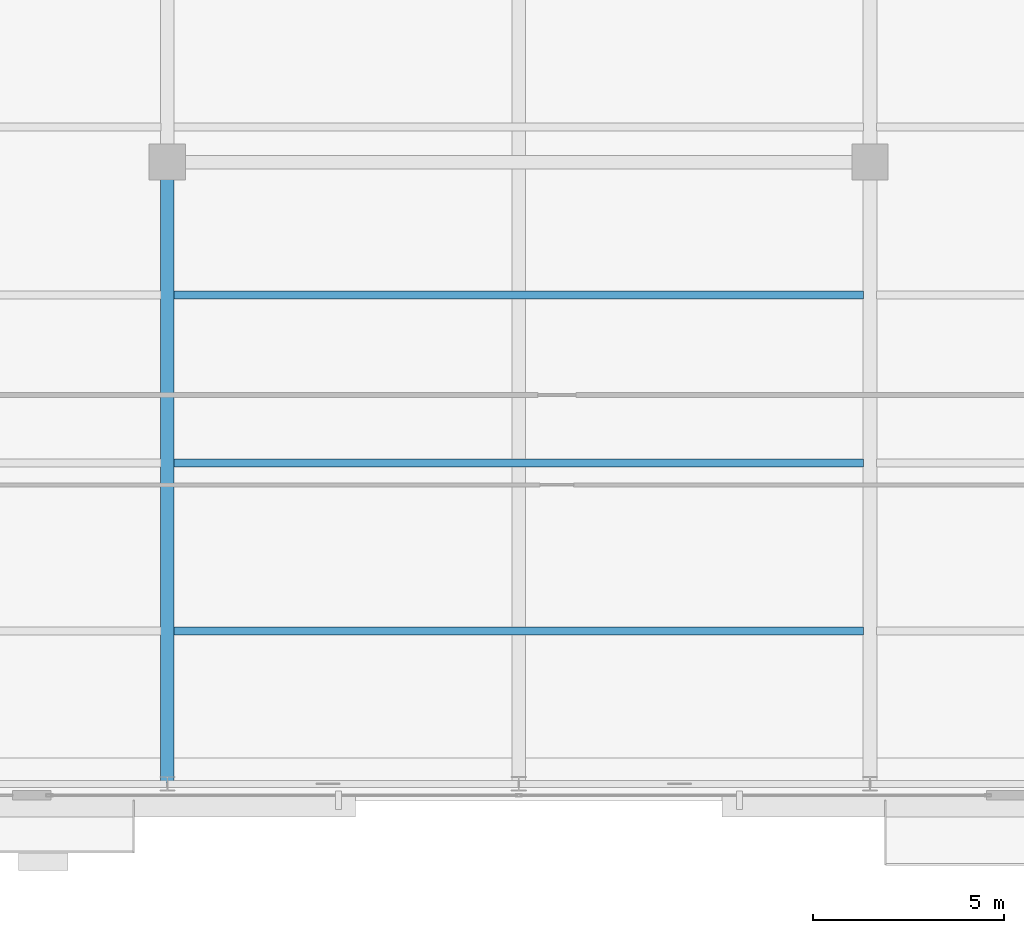
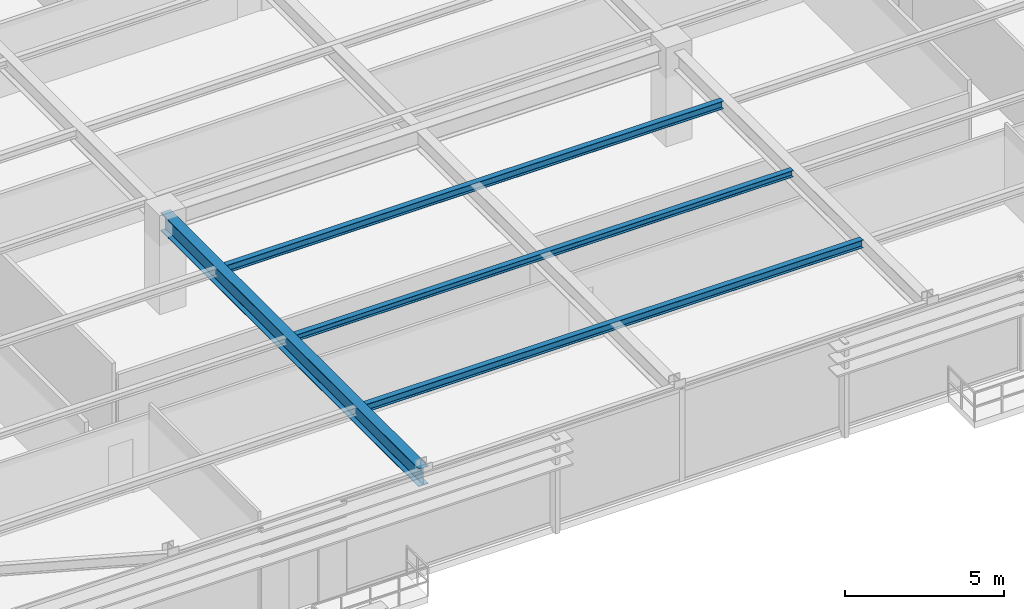
# One storey, part 7 of 34: 4 beams.
"""IFC4 building model written with IfcOpenShell, lengths in metres."""

from ifc_helpers import new_model, si_unit, direction, frame, origin, origin_2d, place, context, subcontext, project, spatial, i_section, extrude, source, transform, mapped, material, material_profile, profile_set, type_object, type_shapes, element, save


model = new_model("IFC4")

# Units and contexts
model_context = context("Model", 3, precision=1e-05, world=origin(), true_north=direction((0.0, 1.0)))
body_context = subcontext(model_context, "Body", "Model", "MODEL_VIEW")
ifc_project = project(units=[si_unit("LENGTHUNIT", "METRE"), si_unit("AREAUNIT", "SQUARE_METRE"), si_unit("VOLUMEUNIT", "CUBIC_METRE"), si_unit("PLANEANGLEUNIT", "RADIAN"), si_unit("MASSUNIT", "GRAM", prefix="KILO")], contexts=[model_context])

# Site, building, storey
site_placement = place(None, origin())
site = spatial("IfcSite", under=ifc_project, at=site_placement, CompositionType="ELEMENT")
building_placement = place(site_placement, origin())
building = spatial("IfcBuilding", under=site, at=building_placement, Name="Varnel Quay Broadcast Tower", CompositionType="ELEMENT")
storey_placement = place(building_placement, frame((0.0, 0.0, 110.60009765625)))
storey = spatial("IfcBuildingStorey", under=building, at=storey_placement, Name="L26", CompositionType="ELEMENT", Elevation=110.60009765625)

# Beams
ifc_material = material(Name="Structural Steel CSA G40.21 350W", Category="steel")
ifc_material_profile_1 = material_profile(ifc_material, i_section(OverallWidth=0.35498046875, OverallDepth=0.695068359375, WebThickness=0.015380859375, FlangeThickness=0.02490234375, FilletRadius=0.01806640625, at=origin_2d()), Name="W690X217")
ifc_profile_set_1 = profile_set([ifc_material_profile_1], Name="Structural Steel CSA G40.21 350W")
beam_type_1 = type_object("IfcBeamType", Name="Girder_W690X217", PredefinedType="BEAM", material=ifc_profile_set_1)
shared_shape_1 = source(origin(), body_context, "Body", "SweptSolid", [
    extrude(i_section(OverallWidth=0.35498046875, OverallDepth=0.695068359375, WebThickness=0.015380859375, FlangeThickness=0.02490234375, FilletRadius=0.01806640625, at=origin_2d()), origin(), (0.0, 0.0, 1.0), 16.239990234375),
])
type_shapes(beam_type_1, [shared_shape_1])
beam_1_placement = place(storey_placement, frame((24.800048828125, 4.669921875, 3.202392578125), z_axis=(0.0, 1.0, 0.0), x_axis=(-1.0, 0.0, 0.0)))
element("IfcBeam", 1, at=beam_1_placement, inside=storey, type_object=beam_type_1, Name="L26 Primary Girder TC-S2-IC-01", PredefinedType="BEAM", context=body_context, shape_type="MappedRepresentation", body=[
    mapped(shared_shape_1, transform((0.0, 0.0, 0.0), x_axis=(1.0, 0.0, 0.0), y_axis=(0.0, 1.0, 0.0), z_axis=(0.0, 0.0, 1.0), scale=1.0)),
])
ifc_material_profile_2 = material_profile(ifc_material, i_section(OverallWidth=0.202880859375, OverallDepth=0.302978515625, WebThickness=0.007568359375, FlangeThickness=0.01318359375, FilletRadius=0.011962890625, at=origin_2d()), Name="W310X60")
ifc_profile_set_2 = profile_set([ifc_material_profile_2], Name="Structural Steel CSA G40.21 350W")
beam_type_2 = type_object("IfcBeamType", Name="Beam_W310X60", PredefinedType="JOIST", material=ifc_profile_set_2)
shared_shape_2 = source(origin(), body_context, "Body", "SweptSolid", [
    extrude(i_section(OverallWidth=0.202880859375, OverallDepth=0.302978515625, WebThickness=0.007568359375, FlangeThickness=0.01318359375, FilletRadius=0.011962890625, at=origin_2d()), origin(), (0.0, 0.0, 1.0), 18.05517578125),
])
type_shapes(beam_type_2, [shared_shape_2])
for number, where, z_axis, x_axis, name in (
    (2, (24.972412109375, 8.64990234375, 3.3984375), (1.0, 0.0, 0.0), (0.0, 1.0, 0.0), "L26 Central Floor Joist 1"),
    (3, (24.972412109375, 17.449951171875, 3.3984375), (1.0, 0.0, 0.0), (0.0, 1.0, 0.0), "L26 Central Floor Joist 3"),
):
    element("IfcBeam", number, at=place(storey_placement, frame(where, z_axis=z_axis, x_axis=x_axis)), inside=storey, type_object=beam_type_2, Name=name, PredefinedType="JOIST", context=body_context, shape_type="MappedRepresentation", body=[
        mapped(shared_shape_2, transform((0.0, 0.0, 0.0), x_axis=(1.0, 0.0, 0.0), y_axis=(0.0, 1.0, 0.0), z_axis=(0.0, 0.0, 1.0), scale=1.0)),
    ])
ifc_material_profile_3 = material_profile(ifc_material, i_section(OverallWidth=0.201904296875, OverallDepth=0.2470703125, WebThickness=0.00732421875, FlangeThickness=0.010986328125, FilletRadius=0.010986328125, at=origin_2d()), Name="W250X49")
ifc_profile_set_3 = profile_set([ifc_material_profile_3], Name="Structural Steel CSA G40.21 350W")
beam_type_3 = type_object("IfcBeamType", Name="Beam_W250X49", PredefinedType="JOIST", material=ifc_profile_set_3)
shared_shape_3 = source(origin(), body_context, "Body", "SweptSolid", [
    extrude(i_section(OverallWidth=0.201904296875, OverallDepth=0.2470703125, WebThickness=0.00732421875, FlangeThickness=0.010986328125, FilletRadius=0.010986328125, at=origin_2d()), origin(), (0.0, 0.0, 1.0), 18.05517578125),
])
type_shapes(beam_type_3, [shared_shape_3])
beam_2_placement = place(storey_placement, frame((24.972412109375, 13.050048828125, 3.426513671875), z_axis=(1.0, 0.0, 0.0), x_axis=(0.0, 1.0, 0.0)))
element("IfcBeam", 4, at=beam_2_placement, inside=storey, type_object=beam_type_3, Name="L26 Central Floor Joist 2", PredefinedType="JOIST", context=body_context, shape_type="MappedRepresentation", body=[
    mapped(shared_shape_3, transform((0.0, 0.0, 0.0), x_axis=(1.0, 0.0, 0.0), y_axis=(0.0, 1.0, 0.0), z_axis=(0.0, 0.0, 1.0), scale=1.0)),
])

save(model, "model.ifc")
